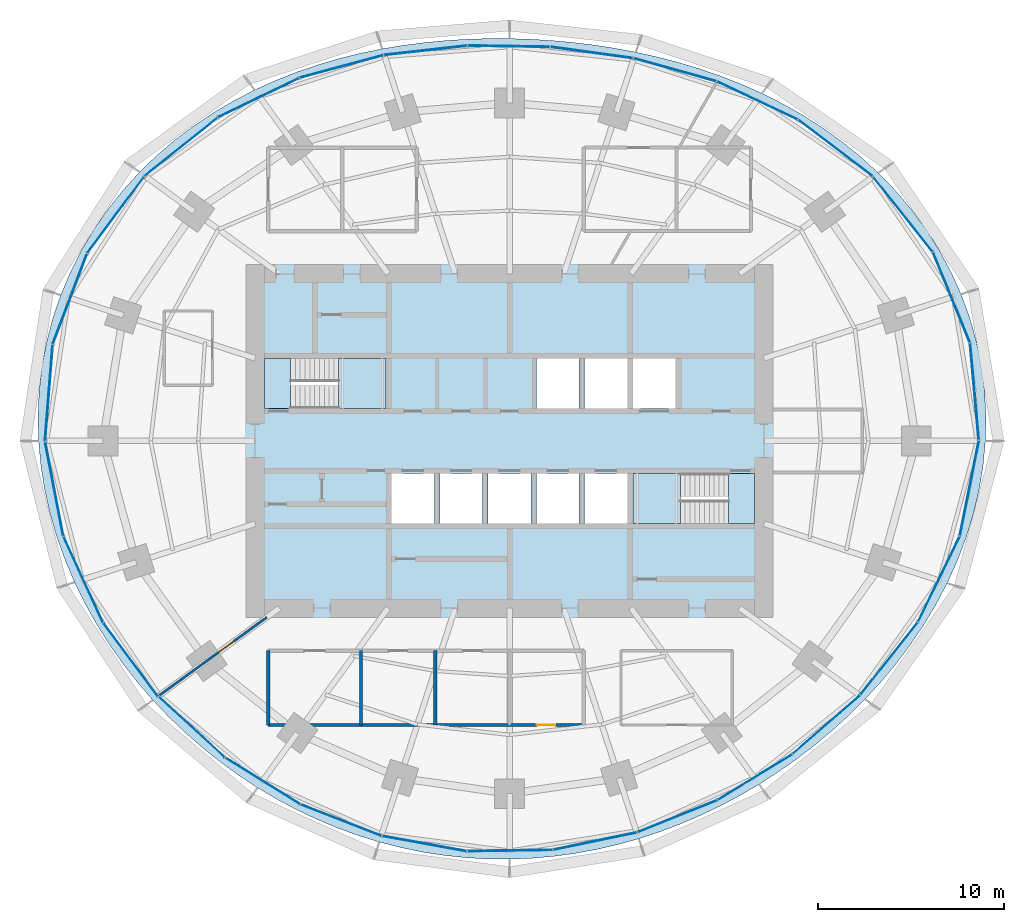
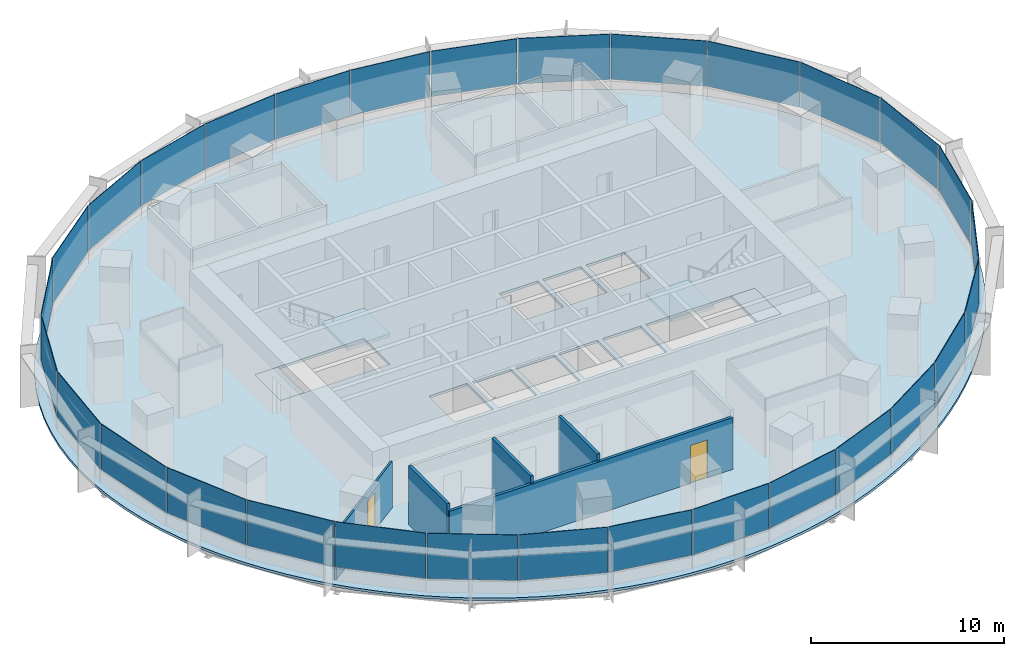
# One storey, part 9 of 14: 30 plates, 5 slabs, 5 walls, 2 doors, 2 openings, 8 elements without a shape of their own.
"""IFC4 building model written with IfcOpenShell, lengths in metres."""

from ifc_helpers import new_model, si_unit, direction, frame, frame_2d, origin, origin_2d, place, context, subcontext, project, spatial, polyline, rectangle, outline, extrude, material, layer, layer_set, type_object, element, fill, aggregate, save


model = new_model("IFC4")

# Units and contexts
model_context = context("Model", 3, precision=1e-05, world=origin(), true_north=direction((0.0, 1.0)))
body_context = subcontext(model_context, "Body", "Model", "MODEL_VIEW")
ifc_project = project(units=[si_unit("LENGTHUNIT", "METRE"), si_unit("AREAUNIT", "SQUARE_METRE"), si_unit("VOLUMEUNIT", "CUBIC_METRE"), si_unit("PLANEANGLEUNIT", "RADIAN"), si_unit("MASSUNIT", "GRAM", prefix="KILO")], contexts=[model_context])

# Site, building, storey
site_placement = place(None, origin())
site = spatial("IfcSite", under=ifc_project, at=site_placement, CompositionType="ELEMENT")
building_placement = place(site_placement, origin())
building = spatial("IfcBuilding", under=site, at=building_placement, Name="Marramba Exchange Tower", CompositionType="ELEMENT")
storey_placement = place(building_placement, frame((0.0, 0.0, 135.300048828125)))
storey = spatial("IfcBuildingStorey", under=building, at=storey_placement, Name="L32", CompositionType="ELEMENT", Elevation=135.300048828125)

# Slab
ifc_material_1 = material(Name="Concrete N40", Category="concrete")
ifc_layer_1 = layer(ifc_material_1, 0.159912109375)
ifc_layer_set_1 = layer_set([ifc_layer_1], Name="Composite floor slab 160")
slab_type_1 = type_object("IfcSlabType", Name="Composite floor slab 160", PredefinedType="FLOOR", material=ifc_layer_set_1)
slab_1_placement = place(storey_placement, frame((0.0, 0.0, -0.16015625)))
element("IfcSlab", 1, at=slab_1_placement, inside=storey, type_object=slab_type_1, Name="Floor slab L32", PredefinedType="FLOOR", context=body_context, shape_type="SweptSolid", body=[
    extrude(outline(polyline([(25.632080078125, 0.0), (25.66064453125, 1.3447265625), (25.59033203125, 2.689697265625), (25.420166015625, 4.026123046875), (25.15087890625, 5.345947265625), (24.7841796875, 6.640869140625), (24.322998046875, 7.903076171875), (23.771484375, 9.125), (23.135009765625, 10.30029296875), (22.419677734375, 11.42333984375), (21.632080078125, 12.4892578125), (20.779541015625, 13.494384765625), (19.869384765625, 14.43603515625), (18.9091796875, 15.3125), (17.90625, 16.122802734375), (16.86767578125, 16.86767578125), (15.800048828125, 17.5478515625), (14.70947265625, 18.164794921875), (13.6015625, 18.720947265625), (12.48095703125, 19.218994140625), (11.3515625, 19.66162109375), (10.217041015625, 20.05224609375), (9.079833984375, 20.393798828125), (7.94189453125, 20.689453125), (6.804443359375, 20.942138671875), (5.668212890625, 21.154296875), (4.533447265625, 21.328369140625), (3.39990234375, 21.46630859375), (2.26708984375, 21.5693359375), (1.134033203125, 21.63818359375), (0.0, 21.673095703125), (-1.135986328125, 21.673828125), (-2.2744140625, 21.6396484375), (-3.416259765625, 21.5693359375), (-4.5615234375, 21.460693359375), (-5.71044921875, 21.31201171875), (-6.8623046875, 21.1201171875), (-8.01611328125, 20.8828125), (-9.170166015625, 20.5966796875), (-10.322509765625, 20.2587890625), (-11.4697265625, 19.8662109375), (-12.60888671875, 19.415771484375), (-13.7353515625, 18.905029296875), (-14.8447265625, 18.331787109375), (-15.931640625, 17.69384765625), (-16.989990234375, 16.989990234375), (-18.013916015625, 16.2197265625), (-18.996826171875, 15.38330078125), (-19.931884765625, 14.4814453125), (-20.8125, 13.515869140625), (-21.632080078125, 12.4892578125), (-22.384033203125, 11.4052734375), (-23.0625, 10.26806640625), (-23.661865234375, 9.0830078125), (-24.177734375, 7.855712890625), (-24.605712890625, 6.593017578125), (-24.943603515625, 5.302001953125), (-25.18896484375, 3.989501953125), (-25.341064453125, 2.663330078125), (-25.400390625, 1.3310546875), (-25.367919921875, 0.0), (-25.246337890625, -1.322998046875), (-25.038818359375, -2.631591796875), (-24.748779296875, -3.919921875), (-24.381103515625, -5.182373046875), (-23.940185546875, -6.414794921875), (-23.431396484375, -7.61328125), (-22.859130859375, -8.77490234375), (-22.22900390625, -9.89697265625), (-21.545166015625, -10.977783203125), (-20.81201171875, -12.015869140625), (-20.033935546875, -13.010009765625), (-19.2138671875, -13.959716796875), (-18.35546875, -14.86376953125), (-17.461181640625, -15.72216796875), (-16.53369140625, -16.53369140625), (-15.5751953125, -17.298095703125), (-14.587646484375, -18.014404296875), (-13.5732421875, -18.681884765625), (-12.533203125, -19.299560546875), (-11.4697265625, -19.8662109375), (-10.384765625, -20.381103515625), (-9.27978515625, -20.8427734375), (-8.157470703125, -21.250732421875), (-7.019287109375, -21.603271484375), (-5.8681640625, -21.900146484375), (-4.7060546875, -22.14013671875), (-3.53564453125, -22.322998046875), (-2.359375, -22.448486328125), (-1.179931640625, -22.516357421875), (0.0, -22.52685546875), (1.17822265625, -22.480712890625), (2.35205078125, -22.3779296875), (3.519287109375, -22.22021484375), (4.677978515625, -22.0078125), (5.825927734375, -21.742431640625), (6.96142578125, -21.425048828125), (8.0830078125, -21.05712890625), (9.189453125, -20.639892578125), (10.279296875, -20.17431640625), (11.3515625, -19.66162109375), (12.4052734375, -19.1025390625), (13.439453125, -18.497802734375), (14.45263671875, -17.847412109375), (15.44384765625, -17.152099609375), (16.411376953125, -16.411376953125), (17.353515625, -15.625244140625), (18.267822265625, -14.79296875), (19.1513671875, -13.914306640625), (20.000732421875, -12.98876953125), (20.81201171875, -12.015869140625), (21.580810546875, -10.995849609375), (22.301513671875, -9.92919921875), (22.96875, -8.81689453125), (23.57666015625, -7.660400390625), (24.11865234375, -6.462646484375), (24.588623046875, -5.2265625), (24.980224609375, -3.95654296875), (25.2880859375, -2.657958984375), (25.5068359375, -1.336669921875), (25.632080078125, 0.0)]), holes=[polyline([(1.449951171875, 1.75), (3.75, 1.75), (3.75, 4.449951171875), (1.449951171875, 4.449951171875), (1.449951171875, 1.75)]), polyline([(4.050048828125, 1.75), (6.35009765625, 1.75), (6.35009765625, 4.449951171875), (4.050048828125, 4.449951171875), (4.050048828125, 1.75)]), polyline([(-6.35009765625, -4.449951171875), (-4.050048828125, -4.449951171875), (-4.050048828125, -1.75), (-6.35009765625, -1.75), (-6.35009765625, -4.449951171875)]), polyline([(-3.75, -4.449951171875), (-1.449951171875, -4.449951171875), (-1.449951171875, -1.75), (-3.75, -1.75), (-3.75, -4.449951171875)]), polyline([(-1.14990234375, -4.449951171875), (1.14990234375, -4.449951171875), (1.14990234375, -1.75), (-1.14990234375, -1.75), (-1.14990234375, -4.449951171875)]), polyline([(1.449951171875, -4.449951171875), (3.75, -4.449951171875), (3.75, -1.75), (1.449951171875, -1.75), (1.449951171875, -4.449951171875)]), polyline([(4.050048828125, -4.449951171875), (6.35009765625, -4.449951171875), (6.35009765625, -1.75), (4.050048828125, -1.75), (4.050048828125, -4.449951171875)]), polyline([(6.64990234375, 1.75), (8.949951171875, 1.75), (8.949951171875, 4.449951171875), (6.64990234375, 4.449951171875), (6.64990234375, 1.75)]), polyline([(-13.199951171875, 1.75), (-6.64990234375, 1.75), (-6.64990234375, 4.449951171875), (-13.199951171875, 4.449951171875), (-13.199951171875, 1.75)]), polyline([(6.64990234375, -4.449951171875), (13.199951171875, -4.449951171875), (13.199951171875, -1.75), (6.64990234375, -1.75), (6.64990234375, -4.449951171875)])]), origin(), (0.0, 0.0, 1.0), 0.16015625),
])

# Curtain wall, plates
ifc_material_2 = material(Name="Aluminium framing, bronze anodised", Category="aluminium")
curtain_wall_type = type_object("IfcCurtainWallType", Name="Office ribbon curtain wall", PredefinedType="USERDEFINED", material=ifc_material_2)
curtain_wall_1_placement = place(storey_placement, origin())
curtain_wall_1 = element("IfcCurtainWall", 2, at=curtain_wall_1_placement, inside=storey, type_object=curtain_wall_type, Name="Curtain wall CW4 L32 F01-F05", ObjectType="RIBBON CURTAIN WALL", PredefinedType="USERDEFINED")
ifc_material_3 = material(Name="Laminated double glazed unit 10.76 + 16 + 10.76, bronze tinted", Category="glass")
ifc_layer_2 = layer(ifc_material_3, 0.03759765625)
ifc_layer_set_2 = layer_set([ifc_layer_2], Name="Office ribbon curtain wall panel")
plate_type = type_object("IfcPlateType", Name="Office ribbon curtain wall panel", PredefinedType="CURTAIN_PANEL", material=ifc_layer_set_2)
plate_1_placement = place(storey_placement, frame((25.042724609375, 2.66650390625, 0.860107421875), z_axis=(0.0, 0.0, 1.0), x_axis=(-0.089412887889, 0.995994646311, 0.0)))
plate_1 = element("IfcPlate", 3, at=plate_1_placement, type_object=plate_type, Name="CW4 vision panel", PredefinedType="CURTAIN_PANEL", context=body_context, shape_type="SweptSolid", body=[
    extrude(rectangle(XDim=5.234375, YDim=0.03759765625, at=origin_2d()), origin(), (0.0, 0.0, 1.0), 2.8798828125),
])
plate_2_placement = place(storey_placement, frame((23.800537109375, 7.743408203125, 0.860107421875), z_axis=(0.0, 0.0, 1.0), x_axis=(-0.377821183171, 0.925878584668, 0.0)))
plate_2 = element("IfcPlate", 4, at=plate_2_placement, type_object=plate_type, Name="CW4 vision panel", PredefinedType="CURTAIN_PANEL", context=body_context, shape_type="SweptSolid", body=[
    extrude(rectangle(XDim=5.2158203125, YDim=0.03759765625, at=origin_2d()), origin(), (0.0, 0.0, 1.0), 2.8798828125),
])
plate_3_placement = place(storey_placement, frame((21.18212890625, 12.217529296875, 0.860107421875), z_axis=(0.0, 0.0, 1.0), x_axis=(-0.621312004611, 0.783563266703, 0.0)))
plate_3 = element("IfcPlate", 5, at=plate_3_placement, type_object=plate_type, Name="CW4 vision panel", PredefinedType="CURTAIN_PANEL", context=body_context, shape_type="SweptSolid", body=[
    extrude(rectangle(XDim=5.136962890625, YDim=0.03759765625, at=origin_2d()), origin(), (0.0, 0.0, 1.0), 2.8798828125),
])
plate_4_placement = place(storey_placement, frame((17.55224609375, 15.777099609375, 0.860107421875), z_axis=(0.0, 0.0, 1.0), x_axis=(-0.795971748366, 0.60533377223, 0.0)))
plate_4 = element("IfcPlate", 6, at=plate_4_placement, type_object=plate_type, Name="CW4 vision panel", PredefinedType="CURTAIN_PANEL", context=body_context, shape_type="SweptSolid", body=[
    extrude(rectangle(XDim=4.990966796875, YDim=0.03759765625, at=origin_2d()), origin(), (0.0, 0.0, 1.0), 2.8798828125),
])
plate_5_placement = place(storey_placement, frame((13.34423828125, 18.3359375, 0.860107421875), z_axis=(0.0, 0.0, 1.0), x_axis=(-0.904403137485, 0.426678995157, 0.0)))
plate_5 = element("IfcPlate", 7, at=plate_5_placement, type_object=plate_type, Name="CW4 vision panel", PredefinedType="CURTAIN_PANEL", context=body_context, shape_type="SweptSolid", body=[
    extrude(rectangle(XDim=4.793212890625, YDim=0.03759765625, at=origin_2d()), origin(), (0.0, 0.0, 1.0), 2.8798828125),
])
aggregate(curtain_wall_1, [plate_1, plate_2, plate_3, plate_4, plate_5])

curtain_wall_2_placement = place(storey_placement, origin())
curtain_wall_2 = element("IfcCurtainWall", 8, at=curtain_wall_2_placement, inside=storey, type_object=curtain_wall_type, Name="Curtain wall CW4 L32 F06-F10", ObjectType="RIBBON CURTAIN WALL", PredefinedType="USERDEFINED")
plate_6_placement = place(storey_placement, frame((8.907470703125, 19.991943359375, 0.860107421875), z_axis=(0.0, 0.0, 1.0), x_axis=(-0.963177845956, 0.268865090816, 0.0)))
plate_6 = element("IfcPlate", 9, at=plate_6_placement, type_object=plate_type, Name="CW4 vision panel", PredefinedType="CURTAIN_PANEL", context=body_context, shape_type="SweptSolid", body=[
    extrude(rectangle(XDim=4.591552734375, YDim=0.03759765625, at=origin_2d()), origin(), (0.0, 0.0, 1.0), 2.8798828125),
])
plate_7_placement = place(storey_placement, frame((4.43359375, 20.919189453125, 0.860107421875), z_axis=(0.0, 0.0, 1.0), x_axis=(-0.990738212841, 0.135785837319, 0.0)))
plate_7 = element("IfcPlate", 10, at=plate_7_placement, type_object=plate_type, Name="CW4 vision panel", PredefinedType="CURTAIN_PANEL", context=body_context, shape_type="SweptSolid", body=[
    extrude(rectangle(XDim=4.447509765625, YDim=0.03759765625, at=origin_2d()), origin(), (0.0, 0.0, 1.0), 2.8798828125),
])
plate_8_placement = place(storey_placement, frame((-0.03369140625, 21.2568359375, 0.860107421875), z_axis=(0.0, 0.0, 1.0), x_axis=(-0.999875869968, 0.01575578169, 0.0)))
plate_8 = element("IfcPlate", 11, at=plate_8_placement, type_object=plate_type, Name="CW4 vision panel", PredefinedType="CURTAIN_PANEL", context=body_context, shape_type="SweptSolid", body=[
    extrude(rectangle(XDim=4.408935546875, YDim=0.03759765625, at=origin_2d()), origin(), (0.0, 0.0, 1.0), 2.8798828125),
])
plate_9_placement = place(storey_placement, frame((-4.52587890625, 21.0361328125, 0.860107421875), z_axis=(0.0, 0.0, 1.0), x_axis=(-0.993823395532, -0.110973233233, 0.0)))
plate_9 = element("IfcPlate", 12, at=plate_9_placement, type_object=plate_type, Name="CW4 vision panel", PredefinedType="CURTAIN_PANEL", context=body_context, shape_type="SweptSolid", body=[
    extrude(rectangle(XDim=4.484375, YDim=0.03759765625, at=origin_2d()), origin(), (0.0, 0.0, 1.0), 2.8798828125),
])
plate_10_placement = place(storey_placement, frame((-9.053466796875, 20.16748046875, 0.860107421875), z_axis=(0.0, 0.0, 1.0), x_axis=(-0.965522047176, -0.260321294588, 0.0)))
plate_10 = element("IfcPlate", 13, at=plate_10_placement, type_object=plate_type, Name="CW4 vision panel", PredefinedType="CURTAIN_PANEL", context=body_context, shape_type="SweptSolid", body=[
    extrude(rectangle(XDim=4.642578125, YDim=0.03759765625, at=origin_2d()), origin(), (0.0, 0.0, 1.0), 2.8798828125),
])
aggregate(curtain_wall_2, [plate_6, plate_7, plate_8, plate_9, plate_10])

curtain_wall_3_placement = place(storey_placement, origin())
curtain_wall_3 = element("IfcCurtainWall", 14, at=curtain_wall_3_placement, inside=storey, type_object=curtain_wall_type, Name="Curtain wall CW4 L32 F11-F15", ObjectType="RIBBON CURTAIN WALL", PredefinedType="USERDEFINED")
plate_11_placement = place(storey_placement, frame((-13.52294921875, 18.4853515625, 0.860107421875), z_axis=(0.0, 0.0, 1.0), x_axis=(-0.900223739881, -0.435427626771, 0.0)))
plate_11 = element("IfcPlate", 15, at=plate_11_placement, type_object=plate_type, Name="CW4 vision panel", PredefinedType="CURTAIN_PANEL", context=body_context, shape_type="SweptSolid", body=[
    extrude(rectangle(XDim=4.83056640625, YDim=0.03759765625, at=origin_2d()), origin(), (0.0, 0.0, 1.0), 2.8798828125),
])
plate_12_placement = place(storey_placement, frame((-17.696533203125, 15.8359375, 0.860107421875), z_axis=(0.0, 0.0, 1.0), x_axis=(-0.78117833008, -0.624307950145, 0.0)))
plate_12 = element("IfcPlate", 16, at=plate_12_placement, type_object=plate_type, Name="CW4 vision panel", PredefinedType="CURTAIN_PANEL", context=body_context, shape_type="SweptSolid", body=[
    extrude(rectangle(XDim=4.998291015625, YDim=0.03759765625, at=origin_2d()), origin(), (0.0, 0.0, 1.0), 2.8798828125),
])
plate_13_placement = place(storey_placement, frame((-21.213623046875, 12.1767578125, 0.860107421875), z_axis=(0.0, 0.0, 1.0), x_axis=(-0.597703997504, -0.80171686484, 0.0)))
plate_13 = element("IfcPlate", 17, at=plate_13_placement, type_object=plate_type, Name="CW4 vision panel", PredefinedType="CURTAIN_PANEL", context=body_context, shape_type="SweptSolid", body=[
    extrude(rectangle(XDim=5.116455078125, YDim=0.03759765625, at=origin_2d()), origin(), (0.0, 0.0, 1.0), 2.8798828125),
])
plate_14_placement = place(storey_placement, frame((-23.6826171875, 7.6494140625, 0.860107421875), z_axis=(0.0, 0.0, 1.0), x_axis=(-0.354844468484, -0.934925346317, 0.0)))
plate_14 = element("IfcPlate", 18, at=plate_14_placement, type_object=plate_type, Name="CW4 vision panel", PredefinedType="CURTAIN_PANEL", context=body_context, shape_type="SweptSolid", body=[
    extrude(rectangle(XDim=5.177490234375, YDim=0.03759765625, at=origin_2d()), origin(), (0.0, 0.0, 1.0), 2.8798828125),
])
plate_15_placement = place(storey_placement, frame((-24.81201171875, 2.584716796875, 0.860107421875), z_axis=(0.0, 0.0, 1.0), x_axis=(-0.079459696383, -0.996838079455, 0.0)))
plate_15 = element("IfcPlate", 19, at=plate_15_placement, type_object=plate_type, Name="CW4 vision panel", PredefinedType="CURTAIN_PANEL", context=body_context, shape_type="SweptSolid", body=[
    extrude(rectangle(XDim=5.185791015625, YDim=0.03759765625, at=origin_2d()), origin(), (0.0, 0.0, 1.0), 2.8798828125),
])
aggregate(curtain_wall_3, [plate_11, plate_12, plate_13, plate_14, plate_15])

curtain_wall_4_placement = place(storey_placement, origin())
curtain_wall_4 = element("IfcCurtainWall", 20, at=curtain_wall_4_placement, inside=storey, type_object=curtain_wall_type, Name="Curtain wall CW4 L32 F16-F20", ObjectType="RIBBON CURTAIN WALL", PredefinedType="USERDEFINED")
plate_16_placement = place(storey_placement, frame((-24.522705078125, -2.584228515625, 0.860107421875), z_axis=(0.0, 0.0, 1.0), x_axis=(0.18822721487, -0.982125509078, 0.0)))
plate_16 = element("IfcPlate", 21, at=plate_16_placement, type_object=plate_type, Name="CW4 vision panel", PredefinedType="CURTAIN_PANEL", context=body_context, shape_type="SweptSolid", body=[
    extrude(rectangle(XDim=5.142578125, YDim=0.03759765625, at=origin_2d()), origin(), (0.0, 0.0, 1.0), 2.8798828125),
])
plate_17_placement = place(storey_placement, frame((-22.96142578125, -7.45947265625, 0.860107421875), z_axis=(0.0, 0.0, 1.0), x_axis=(0.416737848929, -0.909026713177, 0.0)))
plate_17 = element("IfcPlate", 22, at=plate_17_placement, type_object=plate_type, Name="CW4 vision panel", PredefinedType="CURTAIN_PANEL", context=body_context, shape_type="SweptSolid", body=[
    extrude(rectangle(XDim=5.0498046875, YDim=0.03759765625, at=origin_2d()), origin(), (0.0, 0.0, 1.0), 2.8798828125),
])
plate_18_placement = place(storey_placement, frame((-20.402099609375, -11.7783203125, 0.860107421875), z_axis=(0.0, 0.0, 1.0), x_axis=(0.597304697033, -0.802014400683, 0.0)))
plate_18 = element("IfcPlate", 23, at=plate_18_placement, type_object=plate_type, Name="CW4 vision panel", PredefinedType="CURTAIN_PANEL", context=body_context, shape_type="SweptSolid", body=[
    extrude(rectangle(XDim=4.926513671875, YDim=0.03759765625, at=origin_2d()), origin(), (0.0, 0.0, 1.0), 2.8798828125),
])
plate_19_placement = place(storey_placement, frame((-17.11376953125, -15.416259765625, 0.860107421875), z_axis=(0.0, 0.0, 1.0), x_axis=(0.737821886077, -0.674995455115, 0.0)))
plate_19 = element("IfcPlate", 24, at=plate_19_placement, type_object=plate_type, Name="CW4 vision panel", PredefinedType="CURTAIN_PANEL", context=body_context, shape_type="SweptSolid", body=[
    extrude(rectangle(XDim=4.80517578125, YDim=0.03759765625, at=origin_2d()), origin(), (0.0, 0.0, 1.0), 2.8798828125),
])
plate_20_placement = place(storey_placement, frame((-13.29248046875, -18.31640625, 0.860107421875), z_axis=(0.0, 0.0, 1.0), x_axis=(0.84835459748, -0.52942844364, 0.0)))
plate_20 = element("IfcPlate", 25, at=plate_20_placement, type_object=plate_type, Name="CW4 vision panel", PredefinedType="CURTAIN_PANEL", context=body_context, shape_type="SweptSolid", body=[
    extrude(rectangle(XDim=4.70947265625, YDim=0.03759765625, at=origin_2d()), origin(), (0.0, 0.0, 1.0), 2.8798828125),
])
aggregate(curtain_wall_4, [plate_16, plate_17, plate_18, plate_19, plate_20])

curtain_wall_5_placement = place(storey_placement, origin())
curtain_wall_5 = element("IfcCurtainWall", 26, at=curtain_wall_5_placement, inside=storey, type_object=curtain_wall_type, Name="Curtain wall CW4 L32 F21-F25", ObjectType="RIBBON CURTAIN WALL", PredefinedType="USERDEFINED")
plate_21_placement = place(storey_placement, frame((-9.074951171875, -20.427734375, 0.860107421875), z_axis=(0.0, 0.0, 1.0), x_axis=(0.931818390344, -0.36292490603, 0.0)))
plate_21 = element("IfcPlate", 27, at=plate_21_placement, type_object=plate_type, Name="CW4 vision panel", PredefinedType="CURTAIN_PANEL", context=body_context, shape_type="SweptSolid", body=[
    extrude(rectangle(XDim=4.644287109375, YDim=0.03759765625, at=origin_2d()), origin(), (0.0, 0.0, 1.0), 2.8798828125),
])
plate_22_placement = place(storey_placement, frame((-4.58740234375, -21.690673828125, 0.860107421875), z_axis=(0.0, 0.0, 1.0), x_axis=(0.984031865834, -0.177992379115, 0.0)))
plate_22 = element("IfcPlate", 28, at=plate_22_placement, type_object=plate_type, Name="CW4 vision panel", PredefinedType="CURTAIN_PANEL", context=body_context, shape_type="SweptSolid", body=[
    extrude(rectangle(XDim=4.602783203125, YDim=0.03759765625, at=origin_2d()), origin(), (0.0, 0.0, 1.0), 2.8798828125),
])
plate_23_placement = place(storey_placement, frame((0.0263671875, -22.064697265625, 0.860107421875), z_axis=(0.0, 0.0, 1.0), x_axis=(0.999884797709, 0.015178646521, 0.0)))
plate_23 = element("IfcPlate", 29, at=plate_23_placement, type_object=plate_type, Name="CW4 vision panel", PredefinedType="CURTAIN_PANEL", context=body_context, shape_type="SweptSolid", body=[
    extrude(rectangle(XDim=4.578857421875, YDim=0.03759765625, at=origin_2d()), origin(), (0.0, 0.0, 1.0), 2.8798828125),
])
plate_24_placement = place(storey_placement, frame((4.61376953125, -21.554931640625, 0.860107421875), z_axis=(0.0, 0.0, 1.0), x_axis=(0.979310199794, 0.202364850159, 0.0)))
plate_24 = element("IfcPlate", 30, at=plate_24_placement, type_object=plate_type, Name="CW4 vision panel", PredefinedType="CURTAIN_PANEL", context=body_context, shape_type="SweptSolid", body=[
    extrude(rectangle(XDim=4.57373046875, YDim=0.03759765625, at=origin_2d()), origin(), (0.0, 0.0, 1.0), 2.8798828125),
])
plate_25_placement = place(storey_placement, frame((9.042724609375, -20.214111328125, 0.860107421875), z_axis=(0.0, 0.0, 1.0), x_axis=(0.928148916059, 0.372209067082, 0.0)))
plate_25 = element("IfcPlate", 31, at=plate_25_placement, type_object=plate_type, Name="CW4 vision panel", PredefinedType="CURTAIN_PANEL", context=body_context, shape_type="SweptSolid", body=[
    extrude(rectangle(XDim=4.59814453125, YDim=0.03759765625, at=origin_2d()), origin(), (0.0, 0.0, 1.0), 2.8798828125),
])
aggregate(curtain_wall_5, [plate_21, plate_22, plate_23, plate_24, plate_25])

curtain_wall_6_placement = place(storey_placement, origin())
curtain_wall_6 = element("IfcCurtainWall", 32, at=curtain_wall_6_placement, inside=storey, type_object=curtain_wall_type, Name="Curtain wall CW4 L32 F26-F30", ObjectType="RIBBON CURTAIN WALL", PredefinedType="USERDEFINED")
plate_26_placement = place(storey_placement, frame((13.21875, -18.109619140625, 0.860107421875), z_axis=(0.0, 0.0, 1.0), x_axis=(0.853109114492, 0.521732535664, 0.0)))
plate_26 = element("IfcPlate", 33, at=plate_26_placement, type_object=plate_type, Name="CW4 vision panel", PredefinedType="CURTAIN_PANEL", context=body_context, shape_type="SweptSolid", body=[
    extrude(rectangle(XDim=4.66748046875, YDim=0.03759765625, at=origin_2d()), origin(), (0.0, 0.0, 1.0), 2.8798828125),
])
plate_27_placement = place(storey_placement, frame((17.0615234375, -15.280517578125, 0.860107421875), z_axis=(0.0, 0.0, 1.0), x_axis=(0.754385506384, 0.656431647438, 0.0)))
plate_27 = element("IfcPlate", 34, at=plate_27_placement, type_object=plate_type, Name="CW4 vision panel", PredefinedType="CURTAIN_PANEL", context=body_context, shape_type="SweptSolid", body=[
    extrude(rectangle(XDim=4.789794921875, YDim=0.03759765625, at=origin_2d()), origin(), (0.0, 0.0, 1.0), 2.8798828125),
])
plate_28_placement = place(storey_placement, frame((20.443603515625, -11.724365234375, 0.860107421875), z_axis=(0.0, 0.0, 1.0), x_axis=(0.621807472329, 0.783170139469, 0.0)))
plate_28 = element("IfcPlate", 35, at=plate_28_placement, type_object=plate_type, Name="CW4 vision panel", PredefinedType="CURTAIN_PANEL", context=body_context, shape_type="SweptSolid", body=[
    extrude(rectangle(XDim=4.947265625, YDim=0.03759765625, at=origin_2d()), origin(), (0.0, 0.0, 1.0), 2.8798828125),
])
plate_29_placement = place(storey_placement, frame((23.127197265625, -7.443359375, 0.860107421875), z_axis=(0.0, 0.0, 1.0), x_axis=(0.439086342308, 0.89844486976, 0.0)))
plate_29 = element("IfcPlate", 36, at=plate_29_placement, type_object=plate_type, Name="CW4 vision panel", PredefinedType="CURTAIN_PANEL", context=body_context, shape_type="SweptSolid", body=[
    extrude(rectangle(XDim=5.096923828125, YDim=0.03759765625, at=origin_2d()), origin(), (0.0, 0.0, 1.0), 2.8798828125),
])
plate_30_placement = place(storey_placement, frame((24.77001953125, -2.54736328125, 0.860107421875), z_axis=(0.0, 0.0, 1.0), x_axis=(0.197048511267, 0.980393739376, 0.0)))
plate_30 = element("IfcPlate", 37, at=plate_30_placement, type_object=plate_type, Name="CW4 vision panel", PredefinedType="CURTAIN_PANEL", context=body_context, shape_type="SweptSolid", body=[
    extrude(rectangle(XDim=5.19677734375, YDim=0.03759765625, at=origin_2d()), origin(), (0.0, 0.0, 1.0), 2.8798828125),
])
aggregate(curtain_wall_6, [plate_26, plate_27, plate_28, plate_29, plate_30])

# Stair, slabs
ifc_material_4 = material(Name="Concrete N40 (40 MPa)", Category="concrete")
stair_type_1 = type_object("IfcStairType", Name="Exit stair ST1 3900 x 1250", PredefinedType="HALF_TURN_STAIR", material=ifc_material_4)
stair_1_placement = place(storey_placement, origin())
stair_1 = element("IfcStair", 38, at=stair_1_placement, inside=storey, type_object=stair_type_1, Name="Exit stair ST1 L32", PredefinedType="HALF_TURN_STAIR")
ifc_layer_3 = layer(ifc_material_4, 0.199951171875)
ifc_layer_set_3 = layer_set([ifc_layer_3], Name="Stair landing 200")
slab_type_2 = type_object("IfcSlabType", Name="Stair landing 200", PredefinedType="LANDING", material=ifc_layer_set_3)
slab_2_placement = place(storey_placement, frame((0.0, 0.0, -0.199951171875)))
slab_2 = element("IfcSlab", 39, at=slab_2_placement, type_object=slab_type_2, Name="ST1 landing 1", PredefinedType="LANDING", context=body_context, shape_type="SweptSolid", body=[
    extrude(outline(polyline([(-13.199951171875, 1.75), (-11.800048828125, 1.75), (-11.800048828125, 4.449951171875), (-13.199951171875, 4.449951171875), (-13.199951171875, 1.75)])), origin(), (0.0, 0.0, 1.0), 0.199951171875),
])
slab_3_placement = place(storey_placement, frame((0.0, 0.0, 1.75)))
slab_3 = element("IfcSlab", 40, at=slab_3_placement, type_object=slab_type_2, Name="ST1 landing 2", PredefinedType="LANDING", context=body_context, shape_type="SweptSolid", body=[
    extrude(outline(polyline([(-9.199951171875, 1.75), (-6.64990234375, 1.75), (-6.64990234375, 4.449951171875), (-9.199951171875, 4.449951171875), (-9.199951171875, 1.75)])), origin(), (0.0, 0.0, 1.0), 0.199951171875),
])
aggregate(stair_1, [slab_2, slab_3])

stair_type_2 = type_object("IfcStairType", Name="Exit stair ST2 3900 x 1250", PredefinedType="HALF_TURN_STAIR", material=ifc_material_4)
stair_2_placement = place(storey_placement, origin())
stair_2 = element("IfcStair", 41, at=stair_2_placement, inside=storey, type_object=stair_type_2, Name="Exit stair ST2 L32", PredefinedType="HALF_TURN_STAIR")
slab_4_placement = place(storey_placement, frame((0.0, 0.0, -0.199951171875)))
slab_4 = element("IfcSlab", 42, at=slab_4_placement, type_object=slab_type_2, Name="ST2 landing 1", PredefinedType="LANDING", context=body_context, shape_type="SweptSolid", body=[
    extrude(outline(polyline([(11.800048828125, -4.449951171875), (13.199951171875, -4.449951171875), (13.199951171875, -1.75), (11.800048828125, -1.75), (11.800048828125, -4.449951171875)])), origin(), (0.0, 0.0, 1.0), 0.199951171875),
])
slab_5_placement = place(storey_placement, frame((0.0, 0.0, 1.75)))
slab_5 = element("IfcSlab", 43, at=slab_5_placement, type_object=slab_type_2, Name="ST2 landing 2", PredefinedType="LANDING", context=body_context, shape_type="SweptSolid", body=[
    extrude(outline(polyline([(6.64990234375, -4.449951171875), (9.199951171875, -4.449951171875), (9.199951171875, -1.75), (6.64990234375, -1.75), (6.64990234375, -4.449951171875)])), origin(), (0.0, 0.0, 1.0), 0.199951171875),
])
aggregate(stair_2, [slab_4, slab_5])

# Walls
ifc_material_5 = material(Name="Plasterboard on staggered double steel studs, acoustic insulation", Category="steel")
ifc_layer_4 = layer(ifc_material_5, 0.169921875)
ifc_layer_set_4 = layer_set([ifc_layer_4], Name="Acoustic partition 170")
wall_type_1 = type_object("IfcWallType", Name="Acoustic partition 170", PredefinedType="PARTITIONING", material=ifc_layer_set_4)
for number, where, z_axis, x_axis, name in (
    (44, (-13.0, -15.300048828125, 0.0), (0.0, 0.0, 1.0), (0.0, 1.0, 0.0), "Acoustic partition L32 02"),
    (45, (-8.0, -11.300048828125, 0.0), (0.0, 0.0, 1.0), (0.0, -1.0, 0.0), "Acoustic partition L32 03"),
    (46, (-4.0, -11.300048828125, 0.0), (0.0, 0.0, 1.0), (0.0, -1.0, 0.0), "Acoustic partition L32 05"),
):
    element("IfcWall", number, at=place(storey_placement, frame(where, z_axis=z_axis, x_axis=x_axis)), inside=storey, type_object=wall_type_1, Name=name, PredefinedType="PARTITIONING", context=body_context, shape_type="SweptSolid", body=[
        extrude(rectangle(XDim=4.0, YDim=0.169921875, at=frame_2d((2.0, 0.0))), origin(), (0.0, 0.0, 1.0), 3.739990234375),
    ])

# Wall, opening, door
wall_1_placement = place(storey_placement, frame((4.0, -15.300048828125, 0.0), z_axis=(0.0, 0.0, 1.0), x_axis=(-1.0, 0.0, 0.0)))
wall_1 = element("IfcWall", 47, at=wall_1_placement, inside=storey, type_object=wall_type_1, Name="Acoustic partition L32 06", PredefinedType="PARTITIONING", context=body_context, shape_type="SweptSolid", body=[
    extrude(rectangle(XDim=17.0, YDim=0.169921875, at=frame_2d((8.5, 0.0))), origin(), (0.0, 0.0, 1.0), 3.285888671875),
])
opening_1_placement = place(wall_1_placement, frame((1.52587890625, 0.0, 0.0)))
opening_1 = element("IfcOpeningElement", 48, at=opening_1_placement, cuts=wall_1, Name="Opening D9", PredefinedType="OPENING", context=body_context, shape_type="SweptSolid", body=[
    extrude(rectangle(XDim=1.0, YDim=2.39990234375, at=frame_2d((0.5, 1.199951171875))), frame((0.0, 0.094970703125, 0.0), z_axis=(0.0, -1.0, 0.0), x_axis=(1.0, 0.0, 0.0)), (0.0, 0.0, 1.0), 0.18994140625),
])
ifc_material_6 = material(Name="Timber door", Category="wood")
door_type = type_object("IfcDoorType", Name="Room door 1000x2400", OperationType="SINGLE_SWING_LEFT", PredefinedType="DOOR", material=ifc_material_6)
door_1_placement = place(opening_1_placement, frame((1.0, 0.0, 0.0), z_axis=(0.0, 0.0, 1.0), x_axis=(-1.0, 0.0, 0.0)))
door_1 = element("IfcDoor", 49, at=door_1_placement, inside=storey, type_object=door_type, Name="D9 Quiet Room 3 L32", OperationType="SINGLE_SWING_LEFT", OverallHeight=2.39990234375, OverallWidth=1.0, PredefinedType="DOOR", context=body_context, shape_type="SweptSolid", body=[
    extrude(rectangle(XDim=1.0, YDim=2.39990234375, at=frame_2d((0.5, 1.199951171875))), frame((0.0, 0.025146484375, 0.0), z_axis=(0.0, -1.0, 0.0), x_axis=(1.0, 0.0, 0.0)), (0.0, 0.0, 1.0), 0.050048828125),
])
fill(opening_1, door_1)

ifc_material_7 = material(Name="Plasterboard on steel studs", Category="steel")
ifc_layer_5 = layer(ifc_material_7, 0.1201171875)
ifc_layer_set_5 = layer_set([ifc_layer_5], Name="Partition 120")
wall_type_2 = type_object("IfcWallType", Name="Partition 120", PredefinedType="PARTITIONING", material=ifc_layer_set_5)
wall_2_placement = place(storey_placement, frame((-13.07568359375, -9.5, 0.0), z_axis=(0.0, 0.0, 1.0), x_axis=(-0.809023630932, -0.587776117747, 0.0)))
wall_2 = element("IfcWall", 50, at=wall_2_placement, inside=storey, type_object=wall_type_2, Name="Partition L32 01", PredefinedType="PARTITIONING", context=body_context, shape_type="SweptSolid", body=[
    extrude(rectangle(XDim=7.1572265625, YDim=0.1201171875, at=frame_2d((3.57861328125, 0.0))), origin(), (0.0, 0.0, 1.0), 2.93994140625),
])
opening_2_placement = place(wall_2_placement, frame((2.201904296875, 0.0, 0.0)))
opening_2 = element("IfcOpeningElement", 51, at=opening_2_placement, cuts=wall_2, Name="Opening D9", PredefinedType="OPENING", context=body_context, shape_type="SweptSolid", body=[
    extrude(rectangle(XDim=1.0, YDim=2.39990234375, at=frame_2d((0.5, 1.199951171875))), frame((0.0, 0.070068359375, 0.0), z_axis=(0.0, -1.0, 0.0), x_axis=(1.0, 0.0, 0.0)), (0.0, 0.0, 1.0), 0.14013671875),
])
door_2_placement = place(opening_2_placement, frame((1.0, 0.0, 0.0), z_axis=(0.0, 0.0, 1.0), x_axis=(-1.0, 0.0, 0.0)))
door_2 = element("IfcDoor", 52, at=door_2_placement, inside=storey, type_object=door_type, Name="D9 Software Development Office L32", OperationType="SINGLE_SWING_RIGHT", OverallHeight=2.39990234375, OverallWidth=1.0, PredefinedType="DOOR", context=body_context, shape_type="SweptSolid", body=[
    extrude(rectangle(XDim=1.0, YDim=2.39990234375, at=frame_2d((0.5, 1.199951171875))), frame((0.0, 0.025146484375, 0.0), z_axis=(0.0, -1.0, 0.0), x_axis=(1.0, 0.0, 0.0)), (0.0, 0.0, 1.0), 0.050048828125),
])
fill(opening_2, door_2)

save(model, "model.ifc")
